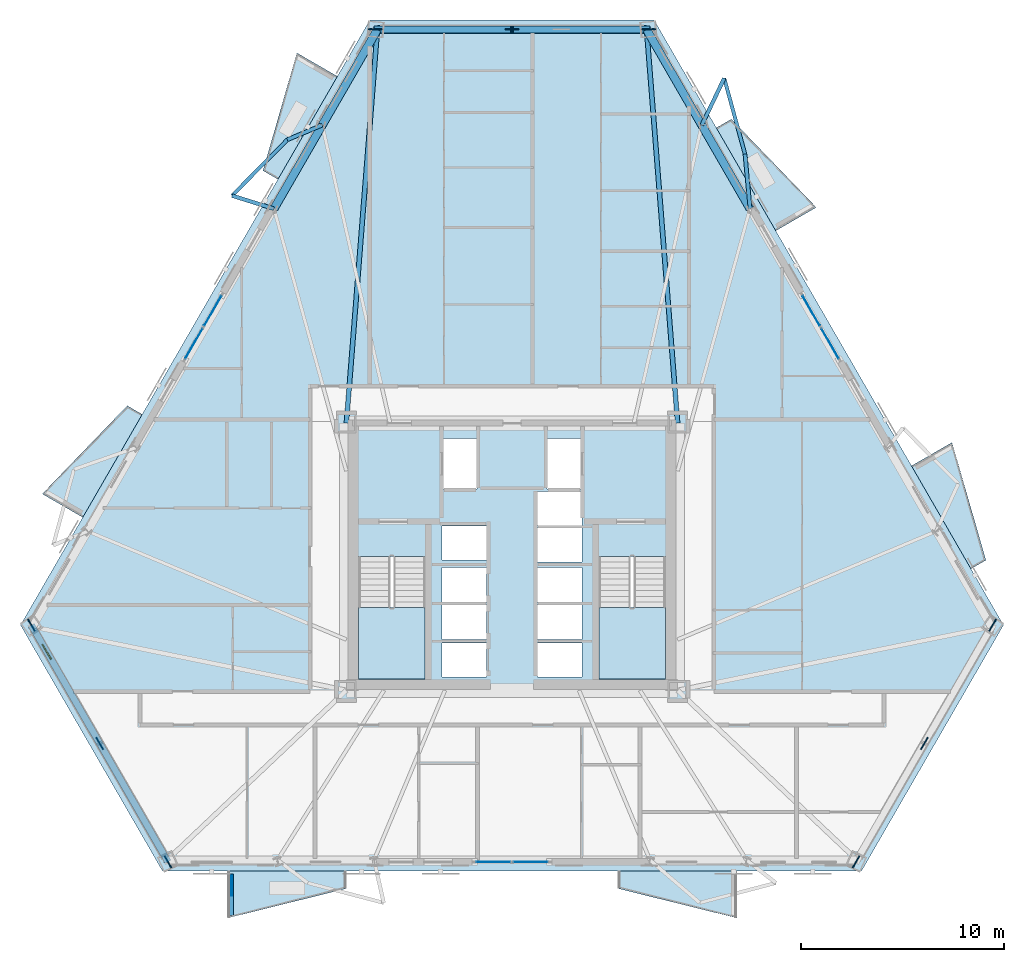
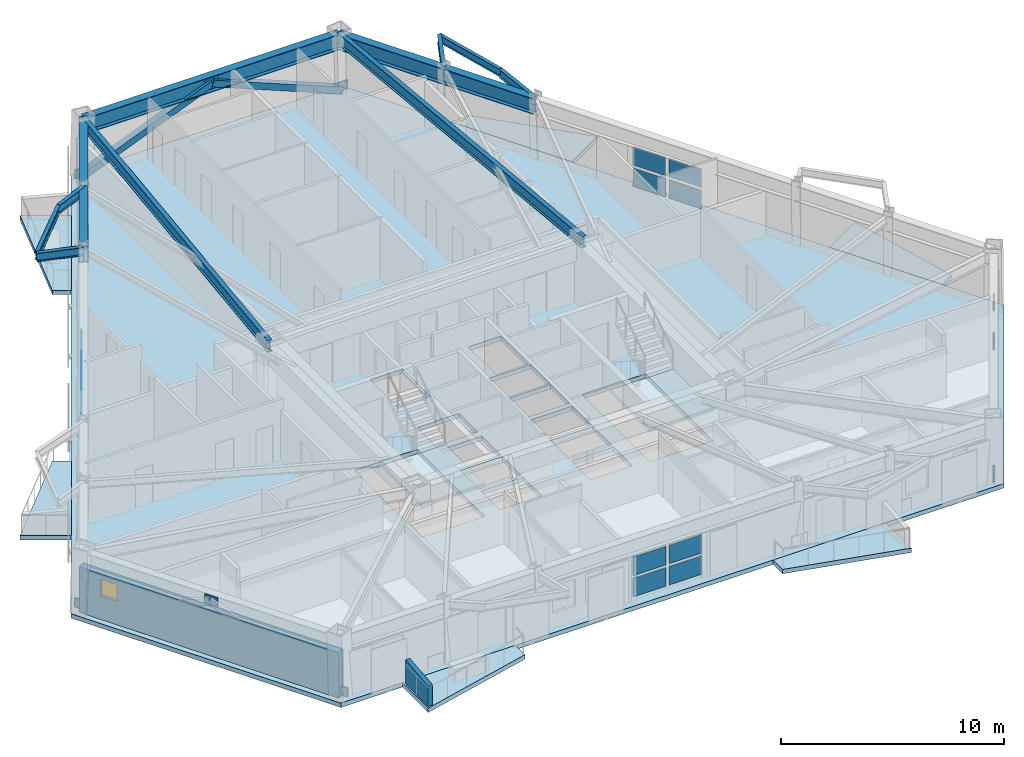
# One storey, part 8 of 17: 21 plates, 13 beams, 9 slabs, 2 members, 2 walls, 1 window, 1 opening, 5 elements without a shape of their own.
"""IFC4 building model written with IfcOpenShell, lengths in metres."""

from ifc_helpers import new_model, si_unit, direction, frame, frame_2d, origin, origin_2d, place, context, subcontext, project, spatial, polyline, rectangle, hollow_rectangle, i_section, outline, extrude, material, layer, layer_set, material_profile, profile_set, type_object, element, fill, aggregate, save


model = new_model("IFC4")

# Units and contexts
model_context = context("Model", 3, precision=1e-05, world=origin(), true_north=direction((0.0, 1.0)))
body_context = subcontext(model_context, "Body", "Model", "MODEL_VIEW")
ifc_project = project(units=[si_unit("LENGTHUNIT", "METRE"), si_unit("AREAUNIT", "SQUARE_METRE"), si_unit("VOLUMEUNIT", "CUBIC_METRE"), si_unit("PLANEANGLEUNIT", "RADIAN"), si_unit("MASSUNIT", "GRAM", prefix="KILO")], contexts=[model_context])

# Site, building, storey
site_placement = place(None, origin())
site = spatial("IfcSite", under=ifc_project, at=site_placement, CompositionType="ELEMENT")
building_placement = place(site_placement, origin())
building = spatial("IfcBuilding", under=site, at=building_placement, Name="Oramaril Tower", CompositionType="ELEMENT")
storey_placement = place(building_placement, frame((0.0, 0.0, 70.5)))
storey = spatial("IfcBuildingStorey", under=building, at=storey_placement, Name="L18", CompositionType="ELEMENT", Elevation=70.5)

# Beams
ifc_material_1 = material(Name="Steel ASTM A572 Gr 50", Category="steel")
ifc_material_profile_1 = material_profile(ifc_material_1, i_section(OverallWidth=0.19091796875, OverallDepth=0.45703125, WebThickness=0.009033203125, FlangeThickness=0.014404296875, at=origin_2d()), Name="W18X50")
ifc_profile_set_1 = profile_set([ifc_material_profile_1], Name="Steel ASTM A572 Gr 50")
beam_type_1 = type_object("IfcBeamType", Name="BT-BB1", PredefinedType="BEAM", material=ifc_profile_set_1)
beam_1_placement = place(storey_placement, frame((49.214599609375, 34.700927734375, 3.131591796875), z_axis=(-0.092053619706, 0.99575405151, 0.0), x_axis=(-0.99575405151, -0.092053619706, 0.0)))
element("IfcBeam", 1, at=beam_1_placement, inside=storey, type_object=beam_type_1, Name="L18 Balcony Column-Framed Cantilever 04.1", PredefinedType="BEAM", context=body_context, shape_type="SweptSolid", body=[
    extrude(i_section(OverallWidth=0.19091796875, OverallDepth=0.45703125, WebThickness=0.009033203125, FlangeThickness=0.014404296875, at=origin_2d()), origin(), (0.0, 0.0, 1.0), 2.697265625),
])
beam_2_placement = place(storey_placement, frame((46.8388671875, 38.81591796875, 3.131591796875), z_axis=(0.432317744595, 0.901721335951, 0.0), x_axis=(-0.901721335951, 0.432317744595, 0.0)))
element("IfcBeam", 2, at=beam_2_placement, inside=storey, type_object=beam_type_1, Name="L18 Balcony Column-Framed Cantilever 04.2", PredefinedType="BEAM", context=body_context, shape_type="SweptSolid", body=[
    extrude(i_section(OverallWidth=0.19091796875, OverallDepth=0.45703125, WebThickness=0.009033203125, FlangeThickness=0.014404296875, at=origin_2d()), origin(), (0.0, 0.0, 1.0), 2.55419921875),
])
beam_3_placement = place(storey_placement, frame((28.1611328125, 38.81591796875, 3.131591796875), z_axis=(-0.922334553735, -0.386392250165, 0.0), x_axis=(0.386392250165, -0.922334553735, 0.0)))
element("IfcBeam", 3, at=beam_3_placement, inside=storey, type_object=beam_type_1, Name="L18 Balcony Column-Framed Cantilever 05.1", PredefinedType="BEAM", context=body_context, shape_type="SweptSolid", body=[
    extrude(i_section(OverallWidth=0.19091796875, OverallDepth=0.45703125, WebThickness=0.009033203125, FlangeThickness=0.014404296875, at=origin_2d()), origin(), (0.0, 0.0, 1.0), 1.86279296875),
])
beam_4_placement = place(storey_placement, frame((25.785400390625, 34.700927734375, 3.131591796875), z_axis=(-0.954757011407, 0.297387035979, 0.0), x_axis=(-0.297387035979, -0.954757011407, 0.0)))
element("IfcBeam", 4, at=beam_4_placement, inside=storey, type_object=beam_type_1, Name="L18 Balcony Column-Framed Cantilever 05.2", PredefinedType="BEAM", context=body_context, shape_type="SweptSolid", body=[
    extrude(i_section(OverallWidth=0.19091796875, OverallDepth=0.45703125, WebThickness=0.009033203125, FlangeThickness=0.014404296875, at=origin_2d()), origin(), (0.0, 0.0, 1.0), 2.16064453125),
])
ifc_material_2 = material(Name="Steel ASTM A572 Gr 50", Category="steel")
ifc_material_profile_2 = material_profile(ifc_material_2, i_section(OverallWidth=0.22900390625, OverallDepth=0.612060546875, WebThickness=0.011962890625, FlangeThickness=0.01953125, at=origin_2d()), Name="W24X84")
ifc_profile_set_2 = profile_set([ifc_material_profile_2], Name="Steel ASTM A572 Gr 50")
beam_type_2 = type_object("IfcBeamType", Name="BT-FB1", PredefinedType="BEAM", material=ifc_profile_set_2)
for number, where, z_axis, x_axis, name in (
    (5, (45.64990234375, 24.14990234375, 3.053955078125), (-0.078550981584, 0.996910097899, 0.0), (-0.996910097899, -0.078550981584, 0.0), "L18 Radial Primary Beam RB-05"),
    (6, (29.35009765625, 24.14990234375, 3.053955078125), (0.078550981584, 0.996910097899, 0.0), (-0.996910097899, 0.078550981584, 0.0), "L18 Radial Primary Beam RB-06"),
):
    element("IfcBeam", number, at=place(storey_placement, frame(where, z_axis=z_axis, x_axis=x_axis)), inside=storey, type_object=beam_type_2, Name=name, PredefinedType="BEAM", context=body_context, shape_type="SweptSolid", body=[
        extrude(i_section(OverallWidth=0.22900390625, OverallDepth=0.612060546875, WebThickness=0.011962890625, FlangeThickness=0.01953125, at=origin_2d()), origin(), (0.0, 0.0, 1.0), 19.428466796875),
    ])
ifc_material_3 = material(Name="Steel ASTM A572 Gr 50", Category="steel")
ifc_material_profile_3 = material_profile(ifc_material_3, i_section(OverallWidth=0.177978515625, OverallDepth=0.404052734375, WebThickness=0.007568359375, FlangeThickness=0.010986328125, at=origin_2d()), Name="W16X36")
ifc_profile_set_3 = profile_set([ifc_material_profile_3], Name="Steel ASTM A572 Gr 50")
beam_type_3 = type_object("IfcBeamType", Name="BT-SB1", PredefinedType="BEAM", material=ifc_profile_set_3)
beam_5_placement = place(storey_placement, frame((48.96630859375, 37.38671875, 3.157958984375), z_axis=(-0.264382243015, 0.964417974521, 0.0), x_axis=(-0.964417974521, -0.264382243015, 0.0)))
element("IfcBeam", 7, at=beam_5_placement, inside=storey, type_object=beam_type_3, Name="L18 Balcony Edge Tie Beam 04", PredefinedType="BEAM", context=body_context, shape_type="SweptSolid", body=[
    extrude(i_section(OverallWidth=0.177978515625, OverallDepth=0.404052734375, WebThickness=0.007568359375, FlangeThickness=0.010986328125, at=origin_2d()), origin(), (0.0, 0.0, 1.0), 3.8701171875),
])
beam_6_placement = place(storey_placement, frame((26.443115234375, 38.09619140625, 3.157958984375), z_axis=(-0.702962973102, -0.711226446673, 0.0), x_axis=(0.711226446673, -0.702962973102, 0.0)))
element("IfcBeam", 8, at=beam_6_placement, inside=storey, type_object=beam_type_3, Name="L18 Balcony Edge Tie Beam 05", PredefinedType="BEAM", context=body_context, shape_type="SweptSolid", body=[
    extrude(i_section(OverallWidth=0.177978515625, OverallDepth=0.404052734375, WebThickness=0.007568359375, FlangeThickness=0.010986328125, at=origin_2d()), origin(), (0.0, 0.0, 1.0), 3.870361328125),
])
ifc_material_4 = material(Name="Steel ASTM A572 Gr 50", Category="steel")
ifc_material_profile_4 = material_profile(ifc_material_4, i_section(OverallWidth=0.40087890625, OverallDepth=0.85595703125, WebThickness=0.018310546875, FlangeThickness=0.029296875, at=origin_2d()), Name="W33X201")
ifc_profile_set_4 = profile_set([ifc_material_profile_4], Name="Steel ASTM A572 Gr 50")
beam_type_4 = type_object("IfcBeamType", Name="BT-SP1", PredefinedType="SPANDREL", material=ifc_profile_set_4)
beam_7_placement = place(storey_placement, frame((49.214599609375, 34.700927734375, 2.931884765625), z_axis=(-0.499990798086, 0.866030716447, 0.0), x_axis=(-0.866030716447, -0.499990798086, 0.0)))
element("IfcBeam", 9, at=beam_7_placement, inside=storey, type_object=beam_type_4, Name="L18 Perimeter Spandrel 11", PredefinedType="SPANDREL", context=body_context, shape_type="SweptSolid", body=[
    extrude(i_section(OverallWidth=0.40087890625, OverallDepth=0.85595703125, WebThickness=0.018310546875, FlangeThickness=0.029296875, at=origin_2d()), origin(), (0.0, 0.0, 1.0), 4.75146484375),
])
beam_8_placement = place(storey_placement, frame((46.8388671875, 38.81591796875, 2.931884765625), z_axis=(-0.500022136814, 0.866012622712, 0.0), x_axis=(-0.866012622712, -0.500022136814, 0.0)))
element("IfcBeam", 10, at=beam_8_placement, inside=storey, type_object=beam_type_4, Name="L18 Perimeter Spandrel 12", PredefinedType="SPANDREL", context=body_context, shape_type="SweptSolid", body=[
    extrude(i_section(OverallWidth=0.40087890625, OverallDepth=0.85595703125, WebThickness=0.018310546875, FlangeThickness=0.029296875, at=origin_2d()), origin(), (0.0, 0.0, 1.0), 5.429931640625),
])
beam_9_placement = place(storey_placement, frame((44.123779296875, 43.518310546875, 2.931884765625), z_axis=(-1.0, 0.0, 0.0), x_axis=(0.0, -1.0, 0.0)))
element("IfcBeam", 11, at=beam_9_placement, inside=storey, type_object=beam_type_4, Name="L18 Perimeter Spandrel 13", PredefinedType="SPANDREL", context=body_context, shape_type="SweptSolid", body=[
    extrude(i_section(OverallWidth=0.40087890625, OverallDepth=0.85595703125, WebThickness=0.018310546875, FlangeThickness=0.029296875, at=origin_2d()), origin(), (0.0, 0.0, 1.0), 13.24755859375),
])
beam_10_placement = place(storey_placement, frame((30.876220703125, 43.518310546875, 2.931884765625), z_axis=(-0.500022136814, -0.866012622712, 0.0), x_axis=(0.866012622712, -0.500022136814, 0.0)))
element("IfcBeam", 12, at=beam_10_placement, inside=storey, type_object=beam_type_4, Name="L18 Perimeter Spandrel 14", PredefinedType="SPANDREL", context=body_context, shape_type="SweptSolid", body=[
    extrude(i_section(OverallWidth=0.40087890625, OverallDepth=0.85595703125, WebThickness=0.018310546875, FlangeThickness=0.029296875, at=origin_2d()), origin(), (0.0, 0.0, 1.0), 5.429931640625),
])
beam_11_placement = place(storey_placement, frame((28.1611328125, 38.81591796875, 2.931884765625), z_axis=(-0.499990798086, -0.866030716447, 0.0), x_axis=(0.866030716447, -0.499990798086, 0.0)))
element("IfcBeam", 13, at=beam_11_placement, inside=storey, type_object=beam_type_4, Name="L18 Perimeter Spandrel 15", PredefinedType="SPANDREL", context=body_context, shape_type="SweptSolid", body=[
    extrude(i_section(OverallWidth=0.40087890625, OverallDepth=0.85595703125, WebThickness=0.018310546875, FlangeThickness=0.029296875, at=origin_2d()), origin(), (0.0, 0.0, 1.0), 4.75146484375),
])

# Members
ifc_material_5 = material(Name="Steel ASTM A572 Gr 50", Category="steel")
ifc_material_profile_5 = material_profile(ifc_material_5, hollow_rectangle(XDim=0.35009765625, YDim=0.35009765625, WallThickness=0.01611328125, at=origin_2d()), Name="HSS350X350X16")
ifc_profile_set_5 = profile_set([ifc_material_profile_5], Name="Steel ASTM A572 Gr 50")
member_type = type_object("IfcMemberType", Name="MT-KB1", PredefinedType="BRACE", material=ifc_profile_set_5)
for number, where, z_axis, x_axis, name in (
    (14, (44.226806640625, 43.52783203125, 0.179931640625), (-0.925543210573, 0.0, 0.378642001582), (0.0, -1.0, 0.0), "L18 Perimeter Chevron Brace KB-3A"),
    (15, (30.773193359375, 43.52783203125, 0.179931640625), (0.925543210573, 0.0, 0.378642001582), (0.0, 1.0, 0.0), "L18 Perimeter Chevron Brace KB-3B"),
):
    element("IfcMember", number, at=place(storey_placement, frame(where, z_axis=z_axis, x_axis=x_axis)), inside=storey, type_object=member_type, Name=name, PredefinedType="BRACE", context=body_context, shape_type="SweptSolid", body=[
        extrude(hollow_rectangle(XDim=0.35009765625, YDim=0.35009765625, WallThickness=0.01611328125, at=origin_2d()), origin(), (0.0, 0.0, 1.0), 7.26806640625),
    ])

# Curtain wall, plates
ifc_material_6 = material(Name="Anodised Aluminium 6063-T6", Category="aluminium")
ifc_layer_1 = layer(ifc_material_6, 0.179931640625)
ifc_layer_set_1 = layer_set([ifc_layer_1], Name="CWT-SYS3")
curtain_wall_type = type_object("IfcCurtainWallType", Name="CWT-SYS3", PredefinedType="NOTDEFINED", material=ifc_layer_set_1)
curtain_wall_1_placement = place(storey_placement, origin())
curtain_wall_1 = element("IfcCurtainWall", 16, at=curtain_wall_1_placement, inside=storey, type_object=curtain_wall_type, Name="L18 Unitised Curtain Wall CW-3", PredefinedType="NOTDEFINED")
ifc_material_7 = material(Name="Coastal Low-E Insulated Glass", Category="glass")
ifc_layer_2 = layer(ifc_material_7, 0.035888671875)
ifc_layer_set_2 = layer_set([ifc_layer_2], Name="PLT-CWP3")
plate_type_1 = type_object("IfcPlateType", Name="PLT-CWP3", PredefinedType="CURTAIN_PANEL", material=ifc_layer_set_2)
plate_1_placement = place(storey_placement, frame((36.570068359375, 2.560546875, 0.16015625), z_axis=(0.0, 0.0, 1.0), x_axis=(1.0, 0.0, 0.0)))
plate_1 = element("IfcPlate", 17, at=plate_1_placement, type_object=plate_type_1, Name="CW-3 panel 1.1", PredefinedType="CURTAIN_PANEL", context=body_context, shape_type="SweptSolid", body=[
    extrude(rectangle(XDim=1.679931640625, YDim=0.035888671875, at=origin_2d()), origin(), (0.0, 0.0, 1.0), 1.007080078125),
])
plate_2_placement = place(storey_placement, frame((36.570068359375, 2.560546875, 1.3271484375), z_axis=(0.0, 0.0, 1.0), x_axis=(1.0, 0.0, 0.0)))
plate_2 = element("IfcPlate", 18, at=plate_2_placement, type_object=plate_type_1, Name="CW-3 panel 1.2", PredefinedType="CURTAIN_PANEL", context=body_context, shape_type="SweptSolid", body=[
    extrude(rectangle(XDim=1.679931640625, YDim=0.035888671875, at=origin_2d()), origin(), (0.0, 0.0, 1.0), 1.007080078125),
])
plate_3_placement = place(storey_placement, frame((38.429931640625, 2.560546875, 0.16015625), z_axis=(0.0, 0.0, 1.0), x_axis=(1.0, 0.0, 0.0)))
plate_3 = element("IfcPlate", 19, at=plate_3_placement, type_object=plate_type_1, Name="CW-3 panel 2.1", PredefinedType="CURTAIN_PANEL", context=body_context, shape_type="SweptSolid", body=[
    extrude(rectangle(XDim=1.679931640625, YDim=0.035888671875, at=origin_2d()), origin(), (0.0, 0.0, 1.0), 1.007080078125),
])
plate_4_placement = place(storey_placement, frame((38.429931640625, 2.560546875, 1.3271484375), z_axis=(0.0, 0.0, 1.0), x_axis=(1.0, 0.0, 0.0)))
plate_4 = element("IfcPlate", 20, at=plate_4_placement, type_object=plate_type_1, Name="CW-3 panel 2.2", PredefinedType="CURTAIN_PANEL", context=body_context, shape_type="SweptSolid", body=[
    extrude(rectangle(XDim=1.679931640625, YDim=0.035888671875, at=origin_2d()), origin(), (0.0, 0.0, 1.0), 1.007080078125),
])
aggregate(curtain_wall_1, [plate_1, plate_2, plate_3, plate_4])

curtain_wall_2_placement = place(storey_placement, origin())
curtain_wall_2 = element("IfcCurtainWall", 21, at=curtain_wall_2_placement, inside=storey, type_object=curtain_wall_type, Name="L18 Unitised Curtain Wall CW-3", PredefinedType="NOTDEFINED")
plate_5_placement = place(storey_placement, frame((53.154541015625, 28.064208984375, 0.16015625), z_axis=(0.0, 0.0, 1.0), x_axis=(-0.499999897278, 0.866025463091, 0.0)))
plate_5 = element("IfcPlate", 22, at=plate_5_placement, type_object=plate_type_1, Name="CW-3 panel 1.1", PredefinedType="CURTAIN_PANEL", context=body_context, shape_type="SweptSolid", body=[
    extrude(rectangle(XDim=1.679931640625, YDim=0.035888671875, at=origin_2d()), origin(), (0.0, 0.0, 1.0), 1.007080078125),
])
plate_6_placement = place(storey_placement, frame((53.154541015625, 28.064208984375, 1.3271484375), z_axis=(0.0, 0.0, 1.0), x_axis=(-0.499999897278, 0.866025463091, 0.0)))
plate_6 = element("IfcPlate", 23, at=plate_6_placement, type_object=plate_type_1, Name="CW-3 panel 1.2", PredefinedType="CURTAIN_PANEL", context=body_context, shape_type="SweptSolid", body=[
    extrude(rectangle(XDim=1.679931640625, YDim=0.035888671875, at=origin_2d()), origin(), (0.0, 0.0, 1.0), 1.007080078125),
])
plate_7_placement = place(storey_placement, frame((52.224609375, 29.675048828125, 0.16015625), z_axis=(0.0, 0.0, 1.0), x_axis=(-0.499999897278, 0.866025463091, 0.0)))
plate_7 = element("IfcPlate", 24, at=plate_7_placement, type_object=plate_type_1, Name="CW-3 panel 2.1", PredefinedType="CURTAIN_PANEL", context=body_context, shape_type="SweptSolid", body=[
    extrude(rectangle(XDim=1.679931640625, YDim=0.035888671875, at=origin_2d()), origin(), (0.0, 0.0, 1.0), 1.007080078125),
])
plate_8_placement = place(storey_placement, frame((52.224609375, 29.675048828125, 1.3271484375), z_axis=(0.0, 0.0, 1.0), x_axis=(-0.499999897278, 0.866025463091, 0.0)))
plate_8 = element("IfcPlate", 25, at=plate_8_placement, type_object=plate_type_1, Name="CW-3 panel 2.2", PredefinedType="CURTAIN_PANEL", context=body_context, shape_type="SweptSolid", body=[
    extrude(rectangle(XDim=1.679931640625, YDim=0.035888671875, at=origin_2d()), origin(), (0.0, 0.0, 1.0), 1.007080078125),
])
aggregate(curtain_wall_2, [plate_5, plate_6, plate_7, plate_8])

curtain_wall_3_placement = place(storey_placement, origin())
curtain_wall_3 = element("IfcCurtainWall", 26, at=curtain_wall_3_placement, inside=storey, type_object=curtain_wall_type, Name="L18 Unitised Curtain Wall CW-3", PredefinedType="NOTDEFINED")
plate_9_placement = place(storey_placement, frame((22.775390625, 29.675048828125, 0.16015625), z_axis=(0.0, 0.0, 1.0), x_axis=(-0.499999897278, -0.866025463091, 0.0)))
plate_9 = element("IfcPlate", 27, at=plate_9_placement, type_object=plate_type_1, Name="CW-3 panel 1.1", PredefinedType="CURTAIN_PANEL", context=body_context, shape_type="SweptSolid", body=[
    extrude(rectangle(XDim=1.679931640625, YDim=0.035888671875, at=origin_2d()), origin(), (0.0, 0.0, 1.0), 1.007080078125),
])
plate_10_placement = place(storey_placement, frame((22.775390625, 29.675048828125, 1.3271484375), z_axis=(0.0, 0.0, 1.0), x_axis=(-0.499999897278, -0.866025463091, 0.0)))
plate_10 = element("IfcPlate", 28, at=plate_10_placement, type_object=plate_type_1, Name="CW-3 panel 1.2", PredefinedType="CURTAIN_PANEL", context=body_context, shape_type="SweptSolid", body=[
    extrude(rectangle(XDim=1.679931640625, YDim=0.035888671875, at=origin_2d()), origin(), (0.0, 0.0, 1.0), 1.007080078125),
])
plate_11_placement = place(storey_placement, frame((21.845458984375, 28.064453125, 0.16015625), z_axis=(0.0, 0.0, 1.0), x_axis=(-0.499999897278, -0.866025463091, 0.0)))
plate_11 = element("IfcPlate", 29, at=plate_11_placement, type_object=plate_type_1, Name="CW-3 panel 2.1", PredefinedType="CURTAIN_PANEL", context=body_context, shape_type="SweptSolid", body=[
    extrude(rectangle(XDim=1.679931640625, YDim=0.035888671875, at=origin_2d()), origin(), (0.0, 0.0, 1.0), 1.007080078125),
])
plate_12_placement = place(storey_placement, frame((21.845458984375, 28.064453125, 1.3271484375), z_axis=(0.0, 0.0, 1.0), x_axis=(-0.499999897278, -0.866025463091, 0.0)))
plate_12 = element("IfcPlate", 30, at=plate_12_placement, type_object=plate_type_1, Name="CW-3 panel 2.2", PredefinedType="CURTAIN_PANEL", context=body_context, shape_type="SweptSolid", body=[
    extrude(rectangle(XDim=1.679931640625, YDim=0.035888671875, at=origin_2d()), origin(), (0.0, 0.0, 1.0), 1.007080078125),
])
aggregate(curtain_wall_3, [plate_9, plate_10, plate_11, plate_12])

# Plates
ifc_material_8 = material(Name="Steel ASTM A572 Gr 50", Category="steel")
ifc_layer_3 = layer(ifc_material_8, 0.06005859375)
ifc_layer_set_3 = layer_set([ifc_layer_3], Name="PLT-G60")
plate_type_2 = type_object("IfcPlateType", Name="PLT-G60", PredefinedType="USERDEFINED", material=ifc_layer_set_3)
for number, where, z_axis, x_axis, name in (
    (31, (17.2109375, 8.385986328125, 2.69189453125), (0.0, 0.0, 1.0), (0.5, -0.866025403784, 0.0), "L18 Chevron Brace Gusset Plate BN-1"),
    (32, (13.84765625, 14.211669921875, 0.10009765625), (0.0, 0.0, 1.0), (0.5, -0.866025403784, 0.0), "L18 Chevron Brace Gusset Plate BN-1"),
    (33, (20.57421875, 2.560546875, 0.10009765625), (0.0, 0.0, 1.0), (0.5, -0.866025403784, 0.0), "L18 Chevron Brace Gusset Plate BN-1"),
    (34, (57.7890625, 8.385986328125, 2.69189453125), (0.0, 0.0, 1.0), (0.5, 0.866025403784, 0.0), "L18 Chevron Brace Gusset Plate BN-1"),
    (35, (54.42578125, 2.560546875, 0.10009765625), (0.0, 0.0, 1.0), (0.5, 0.866025403784, 0.0), "L18 Chevron Brace Gusset Plate BN-1"),
    (36, (61.15234375, 14.211669921875, 0.10009765625), (0.0, 0.0, 1.0), (0.5, 0.866025403784, 0.0), "L18 Chevron Brace Gusset Plate BN-1"),
    (37, (37.5, 43.52783203125, 2.69189453125), (0.0, 0.0, 1.0), (-1.0, 0.0, 0.0), "L18 Chevron Brace Gusset Plate BN-1"),
    (38, (44.226806640625, 43.52783203125, 0.10009765625), (0.0, 0.0, 1.0), (-1.0, 0.0, 0.0), "L18 Chevron Brace Gusset Plate BN-1"),
    (39, (30.773193359375, 43.52783203125, 0.10009765625), (0.0, 0.0, 1.0), (-1.0, 0.0, 0.0), "L18 Chevron Brace Gusset Plate BN-1"),
):
    element("IfcPlate", number, at=place(storey_placement, frame(where, z_axis=z_axis, x_axis=x_axis)), inside=storey, type_object=plate_type_2, Name=name, ObjectType="GUSSET", PredefinedType="USERDEFINED", context=body_context, shape_type="SweptSolid", body=[
        extrude(rectangle(XDim=0.679931640625, YDim=0.06005859375, at=origin_2d()), origin(), (0.0, 0.0, 1.0), 0.47998046875),
    ])

# Slabs
ifc_material_9 = material(Name="Concrete C40/50", Category="concrete")
ifc_layer_4 = layer(ifc_material_9, 0.199951171875)
ifc_layer_set_4 = layer_set([ifc_layer_4], Name="SLT-BAL20")
slab_type_1 = type_object("IfcSlabType", Name="SLT-BAL20", PredefinedType="FLOOR", material=ifc_layer_set_4)
slab_1_placement = place(storey_placement, frame((0.0, 0.0, -0.239990234375)))
element("IfcSlab", 40, at=slab_1_placement, inside=storey, type_object=slab_type_1, Name="L18 Cantilevered Balcony Slab L18-BAL-S2", PredefinedType="FLOOR", context=body_context, shape_type="SweptSolid", body=[
    extrude(outline(polyline([(42.71630859375, 2.1025390625), (48.56640625, 2.1025390625), (48.56640625, -0.199462890625), (42.71630859375, 1.25048828125), (42.71630859375, 2.1025390625)])), origin(), (0.0, 0.0, 1.0), 0.239990234375),
])
slab_2_placement = place(storey_placement, frame((0.0, 0.0, -0.239990234375)))
element("IfcSlab", 41, at=slab_2_placement, inside=storey, type_object=slab_type_1, Name="L18 Cantilevered Balcony Slab L18-BAL-NE1", PredefinedType="FLOOR", context=body_context, shape_type="SweptSolid", body=[
    extrude(outline(polyline([(60.081787109375, 16.98193359375), (57.156982421875, 22.048095703125), (59.150390625, 23.19921875), (60.819580078125, 17.407958984375), (60.081787109375, 16.98193359375)])), origin(), (0.0, 0.0, 1.0), 0.239990234375),
])
slab_3_placement = place(storey_placement, frame((0.0, 0.0, -0.239990234375)))
element("IfcSlab", 42, at=slab_3_placement, inside=storey, type_object=slab_type_1, Name="L18 Cantilevered Balcony Slab L18-BAL-NW2", PredefinedType="FLOOR", context=body_context, shape_type="SweptSolid", body=[
    extrude(outline(polyline([(19.3056640625, 24.581298828125), (16.380615234375, 19.514892578125), (14.386962890625, 20.666015625), (18.56787109375, 25.00732421875), (19.3056640625, 24.581298828125)])), origin(), (0.0, 0.0, 1.0), 0.239990234375),
])
ifc_material_10 = material(Name="Concrete C50/60", Category="concrete")
ifc_layer_5 = layer(ifc_material_10, 0.239990234375)
ifc_layer_set_5 = layer_set([ifc_layer_5], Name="SLT-FLR24")
slab_type_2 = type_object("IfcSlabType", Name="SLT-FLR24", PredefinedType="FLOOR", material=ifc_layer_set_5)
slab_4_placement = place(storey_placement, frame((0.0, 0.0, -0.239990234375)))
element("IfcSlab", 43, at=slab_4_placement, inside=storey, type_object=slab_type_2, Name="L18 Structural Floor Slab", PredefinedType="FLOOR", context=body_context, shape_type="SweptSolid", body=[
    extrude(outline(polyline([(13.31640625, 14.211669921875), (20.30859375, 2.1005859375), (54.69140625, 2.1005859375), (61.68359375, 14.211669921875), (44.4921875, 43.98779296875), (30.5078125, 43.98779296875), (13.31640625, 14.211669921875)]), holes=[polyline([(29.949951171875, 17.58935546875), (29.949951171875, 11.550048828125), (33.219970703125, 11.550048828125), (33.219970703125, 17.58935546875), (29.949951171875, 17.58935546875)]), polyline([(41.780029296875, 17.58935546875), (41.780029296875, 11.550048828125), (45.050048828125, 11.550048828125), (45.050048828125, 17.58935546875), (41.780029296875, 17.58935546875)]), polyline([(34.110107421875, 20.909912109375), (35.7900390625, 20.909912109375), (35.7900390625, 23.389892578125), (34.110107421875, 23.389892578125), (34.110107421875, 20.909912109375)]), polyline([(39.2099609375, 20.909912109375), (40.889892578125, 20.909912109375), (40.889892578125, 23.389892578125), (39.2099609375, 23.389892578125), (39.2099609375, 20.909912109375)]), polyline([(34.06005859375, 11.659912109375), (36.239990234375, 11.659912109375), (36.239990234375, 13.340087890625), (34.06005859375, 13.340087890625), (34.06005859375, 11.659912109375)]), polyline([(34.06005859375, 13.510009765625), (36.239990234375, 13.510009765625), (36.239990234375, 15.18994140625), (34.06005859375, 15.18994140625), (34.06005859375, 13.510009765625)]), polyline([(34.06005859375, 15.360107421875), (36.239990234375, 15.360107421875), (36.239990234375, 17.0400390625), (34.06005859375, 17.0400390625), (34.06005859375, 15.360107421875)]), polyline([(38.760009765625, 11.659912109375), (40.93994140625, 11.659912109375), (40.93994140625, 13.340087890625), (38.760009765625, 13.340087890625), (38.760009765625, 11.659912109375)]), polyline([(38.760009765625, 13.510009765625), (40.93994140625, 13.510009765625), (40.93994140625, 15.18994140625), (38.760009765625, 15.18994140625), (38.760009765625, 13.510009765625)]), polyline([(38.760009765625, 15.360107421875), (40.93994140625, 15.360107421875), (40.93994140625, 17.0400390625), (38.760009765625, 17.0400390625), (38.760009765625, 15.360107421875)]), polyline([(34.06005859375, 17.409912109375), (36.239990234375, 17.409912109375), (36.239990234375, 19.090087890625), (34.06005859375, 19.090087890625), (34.06005859375, 17.409912109375)]), polyline([(38.760009765625, 17.31005859375), (40.93994140625, 17.31005859375), (40.93994140625, 18.989990234375), (38.760009765625, 18.989990234375), (38.760009765625, 17.31005859375)]), polyline([(38.760009765625, 19.110107421875), (40.93994140625, 19.110107421875), (40.93994140625, 20.7900390625), (38.760009765625, 20.7900390625), (38.760009765625, 19.110107421875)])]), origin(), (0.0, 0.0, 1.0), 0.239990234375),
])

# Stair, slab
ifc_material_11 = material(Name="Concrete C50/60", Category="concrete")
stair_type = type_object("IfcStairType", Name="STT-DG-3600", PredefinedType="HALF_TURN_STAIR", material=ifc_material_11)
stair_1_placement = place(storey_placement, origin())
stair_1 = element("IfcStair", 44, at=stair_1_placement, inside=storey, type_object=stair_type, Name="L18 Protected PFP Exit Stair ST-1", PredefinedType="HALF_TURN_STAIR")
ifc_material_12 = material(Name="Concrete C50/60", Category="concrete")
ifc_layer_6 = layer(ifc_material_12, 0.199951171875)
ifc_layer_set_6 = layer_set([ifc_layer_6], Name="SLT-LND20")
slab_type_3 = type_object("IfcSlabType", Name="SLT-LND20", PredefinedType="LANDING", material=ifc_layer_set_6)
slab_5_placement = place(storey_placement, frame((0.0, 0.0, 1.60009765625)))
slab_5 = element("IfcSlab", 45, at=slab_5_placement, type_object=slab_type_3, Name="ST-1 landing 1", PredefinedType="LANDING", context=body_context, shape_type="SweptSolid", body=[
    extrude(outline(polyline([(29.949951171875, 15.070068359375), (29.949951171875, 11.550048828125), (33.219970703125, 11.550048828125), (33.219970703125, 15.070068359375), (29.949951171875, 15.070068359375)])), origin(), (0.0, 0.0, 1.0), 0.199951171875),
])
aggregate(stair_1, [slab_5])

stair_2_placement = place(storey_placement, origin())
stair_2 = element("IfcStair", 46, at=stair_2_placement, inside=storey, type_object=stair_type, Name="L18 Protected PFP Exit Stair ST-2", PredefinedType="HALF_TURN_STAIR")
slab_6_placement = place(storey_placement, frame((0.0, 0.0, 1.60009765625)))
slab_6 = element("IfcSlab", 47, at=slab_6_placement, type_object=slab_type_3, Name="ST-2 landing 1", PredefinedType="LANDING", context=body_context, shape_type="SweptSolid", body=[
    extrude(outline(polyline([(41.780029296875, 15.070068359375), (41.780029296875, 11.550048828125), (45.050048828125, 11.550048828125), (45.050048828125, 15.070068359375), (41.780029296875, 15.070068359375)])), origin(), (0.0, 0.0, 1.0), 0.199951171875),
])
aggregate(stair_2, [slab_6])

# Slabs
ifc_material_13 = material(Name="Concrete C40/50", Category="concrete")
ifc_layer_7 = layer(ifc_material_13, 0.18994140625)
ifc_layer_set_7 = layer_set([ifc_layer_7], Name="SLT-PLN19")
slab_type_4 = type_object("IfcSlabType", Name="SLT-PLN19", PredefinedType="FLOOR", material=ifc_layer_set_7)
slab_7_placement = place(storey_placement, frame((0.0, 0.0, -0.239990234375)))
element("IfcSlab", 48, at=slab_7_placement, inside=storey, type_object=slab_type_4, Name="L18 Tree Planter Balcony Slab L18-BAL-S1", PredefinedType="FLOOR", context=body_context, shape_type="SweptSolid", body=[
    extrude(outline(polyline([(23.5087890625, 2.1025390625), (29.358642578125, 2.1025390625), (29.358642578125, 1.25048828125), (23.5087890625, -0.199462890625), (23.5087890625, 2.1025390625)])), origin(), (0.0, 0.0, 1.0), 0.239990234375),
])
slab_8_placement = place(storey_placement, frame((0.0, 0.0, -0.239990234375)))
element("IfcSlab", 49, at=slab_8_placement, inside=storey, type_object=slab_type_4, Name="L18 Tree Planter Balcony Slab L18-BAL-NE2", PredefinedType="FLOOR", context=body_context, shape_type="SweptSolid", body=[
    extrude(outline(polyline([(50.47802734375, 33.6162109375), (47.552978515625, 38.682373046875), (48.291015625, 39.1083984375), (52.4716796875, 34.76708984375), (50.47802734375, 33.6162109375)])), origin(), (0.0, 0.0, 1.0), 0.239990234375),
])
slab_9_placement = place(storey_placement, frame((0.0, 0.0, -0.239990234375)))
element("IfcSlab", 50, at=slab_9_placement, inside=storey, type_object=slab_type_4, Name="L18 Tree Planter Balcony Slab L18-BAL-NW1", PredefinedType="FLOOR", context=body_context, shape_type="SweptSolid", body=[
    extrude(outline(polyline([(28.909423828125, 41.215576171875), (25.984375, 36.1494140625), (25.24658203125, 36.5751953125), (26.915771484375, 42.366455078125), (28.909423828125, 41.215576171875)])), origin(), (0.0, 0.0, 1.0), 0.239990234375),
])

# Wall, opening, window
ifc_material_14 = material(Name="Warm Cream Limestone", Category="masonry")
ifc_layer_8 = layer(ifc_material_14, 0.340087890625)
ifc_layer_set_8 = layer_set([ifc_layer_8], Name="WT-EXT34")
wall_type_1 = type_object("IfcWallType", Name="WT-EXT34", PredefinedType="SOLIDWALL", material=ifc_layer_set_8)
wall_1_placement = place(storey_placement, frame((13.84765625, 14.211669921875, 0.0), z_axis=(0.0, 0.0, 1.0), x_axis=(0.499987929025, -0.866032372853, 0.0)))
wall_1 = element("IfcWall", 51, at=wall_1_placement, inside=storey, type_object=wall_type_1, Name="L18 Tower Limestone Facade Wall 1M", PredefinedType="SOLIDWALL", context=body_context, shape_type="SweptSolid", body=[
    extrude(rectangle(XDim=13.453369140625, YDim=0.340087890625, at=frame_2d((6.7265625, 0.0))), origin(), (0.0, 0.0, 1.0), 2.493896484375),
])
opening_placement = place(wall_1_placement, frame((1.091064453125, 0.0, 1.280029296875)))
opening = element("IfcOpeningElement", 52, at=opening_placement, cuts=wall_1, Name="Opening WN-13", PredefinedType="OPENING", context=body_context, shape_type="SweptSolid", body=[
    extrude(rectangle(XDim=0.85009765625, YDim=0.919921875, at=frame_2d((0.425048828125, 0.4599609375))), frame((0.0, 0.169921875, 0.0), z_axis=(0.0, -1.0, 0.0), x_axis=(1.0, 0.0, 0.0)), (0.0, 0.0, 1.0), 0.340087890625),
])
ifc_material_15 = material(Name="Coastal Low-E Insulated Glass", Category="glass")
window_type = type_object("IfcWindowType", Name="WNT-13", PartitioningType="SINGLE_PANEL", PredefinedType="WINDOW", material=ifc_material_15)
window_placement = place(opening_placement, origin())
window = element("IfcWindow", 53, at=window_placement, inside=storey, type_object=window_type, Name="L18 Apartment Bedroom Window WN-13", OverallHeight=0.919921875, OverallWidth=0.85009765625, PartitioningType="SINGLE_PANEL", PredefinedType="WINDOW", context=body_context, shape_type="SweptSolid", body=[
    extrude(rectangle(XDim=0.85009765625, YDim=0.919921875, at=frame_2d((0.425048828125, 0.4599609375))), frame((0.0, 0.030029296875, 0.0), z_axis=(0.0, -1.0, 0.0), x_axis=(1.0, 0.0, 0.0)), (0.0, 0.0, 1.0), 0.06005859375),
])
fill(opening, window)

# Wall
ifc_material_16 = material(Name="Concrete C40/50", Category="concrete")
ifc_layer_9 = layer(ifc_material_16, 0.22998046875)
ifc_layer_set_9 = layer_set([ifc_layer_9], Name="WT-PRP23")
wall_type_2 = type_object("IfcWallType", Name="WT-PRP23", PredefinedType="PARAPET", material=ifc_layer_set_9)
wall_2_placement = place(storey_placement, frame((23.688720703125, 1.962646484375, 0.0), z_axis=(0.0, 0.0, 1.0), x_axis=(0.0, -1.0, 0.0)))
element("IfcWall", 54, at=wall_2_placement, inside=storey, type_object=wall_type_2, Name="L18 Trapezoidal Balcony Frame Cheek L18-BAL-S1-L", PredefinedType="PARAPET", context=body_context, shape_type="SweptSolid", body=[
    extrude(outline(polyline([(0.0, 0.0), (2.0419921875, 0.0), (2.0419921875, 1.10009765625), (0.0, 1.320068359375), (0.0, 0.0)])), frame((0.0, 0.114990234375, 0.0), z_axis=(0.0, -1.0, 0.0), x_axis=(1.0, 0.0, 0.0)), (0.0, 0.0, 1.0), 0.22998046875),
])

save(model, "model.ifc")
